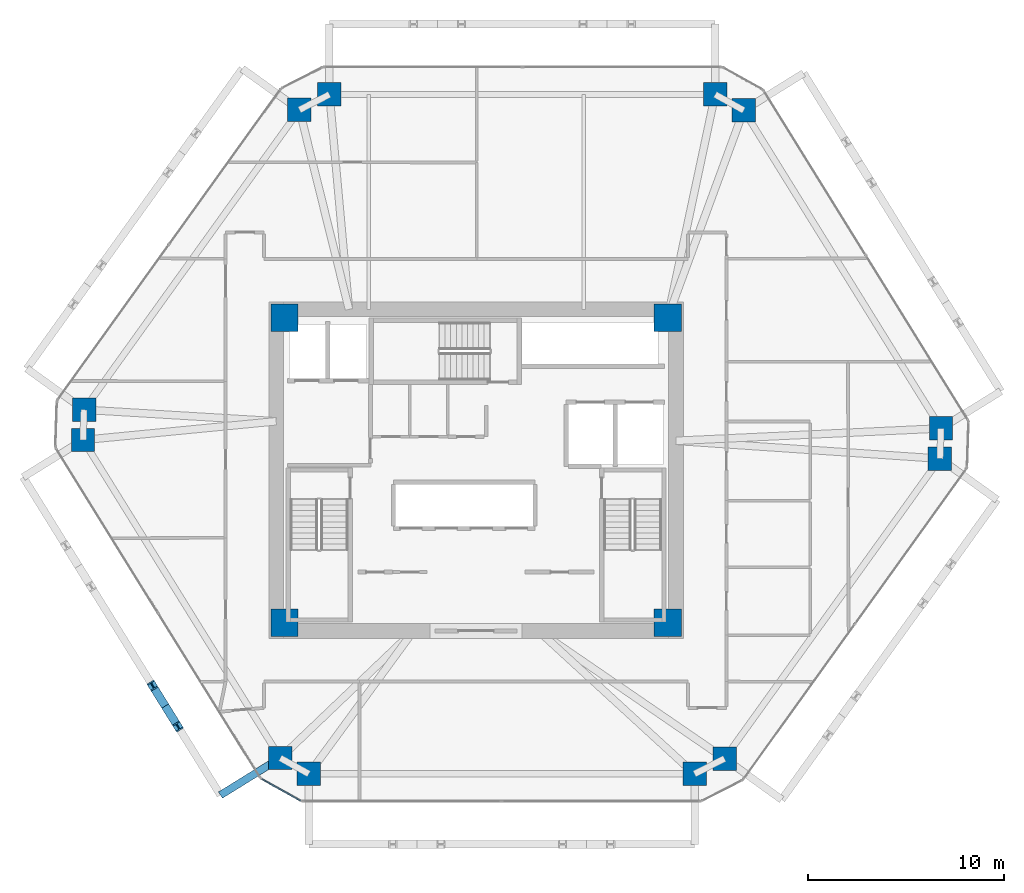
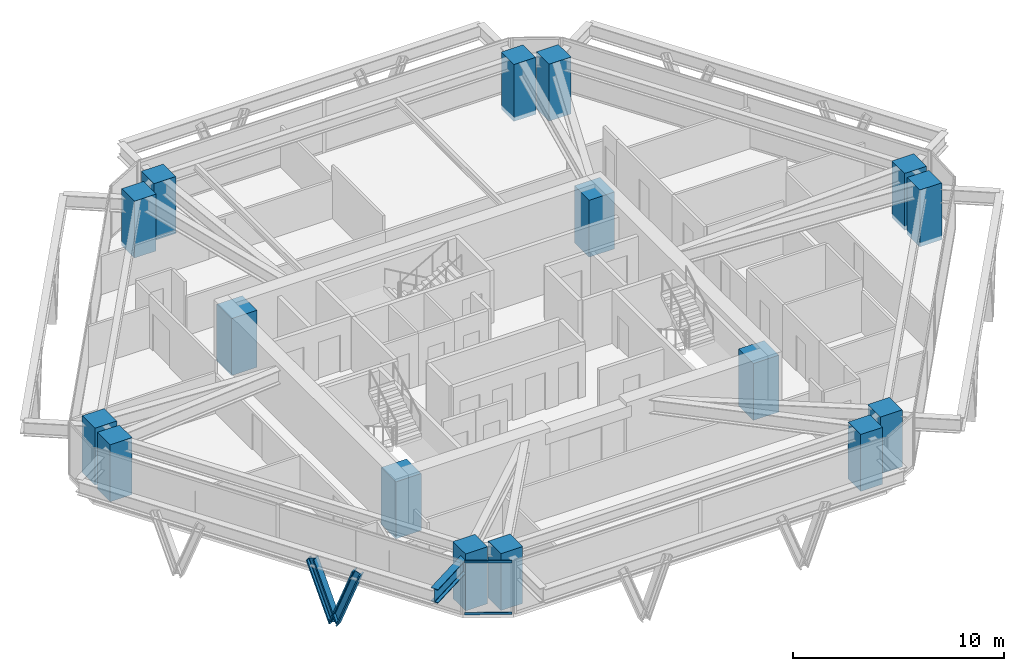
# One storey, part 1 of 13: 16 columns, 4 members, 1 beam, 1 element without a shape of its own.
"""IFC4 building model written with IfcOpenShell, lengths in metres."""

import ifcopenshell
import ifcopenshell.guid

model = None  # the IFC model being written
_history = None  # IfcOwnerHistory: only IFC2X3 demands one
_inside = {}  # id of a spatial element -> (the spatial element, [elements in it])
_under = {}  # id of a project, library or spatial element -> (it, [spatial elements below it])
_declared = {}  # id of a project -> (the project, [libraries it declares])
_typed = {}  # id of a type object -> (the type object, [elements of that type])
_made_of = {}  # id of a material, layer set ... -> (it, [elements and type objects made of it])


def new_model(schema):
    """Start an empty IFC model of exactly this schema.

    Asked for "IFC4X3", IfcOpenShell would pick the latest addendum, in which some entities
    have other attributes; the version numbers below select the first issue.
    IFC2X3 requires an IfcOwnerHistory on every rooted entity: one is made here for all.
    """
    global model, _history
    if schema == "IFC4X3":
        model = ifcopenshell.file(schema_version=(4, 3, 0, 0))
    else:
        model = ifcopenshell.file(schema=schema)
    _inside.clear()
    _under.clear()
    _declared.clear()
    _typed.clear()
    _made_of.clear()
    _history = None
    if model.schema == "IFC2X3":
        org = make("IfcOrganization", Name="unknown")
        user = make(
            "IfcPersonAndOrganization",
            ThePerson=make("IfcPerson", FamilyName="unknown"),
            TheOrganization=org,
        )
        app = make(
            "IfcApplication",
            ApplicationDeveloper=org,
            Version="unknown",
            ApplicationFullName="unknown",
            ApplicationIdentifier="unknown",
        )
        _history = make(
            "IfcOwnerHistory",
            OwningUser=user,
            OwningApplication=app,
            ChangeAction="ADDED",
            CreationDate=0,
        )
    return model


def make(cls, **values):
    """One entity of the class cls with the attributes given. An attribute that is None is left unset."""
    return model.create_entity(
        cls, **{name: value for name, value in values.items() if value is not None}
    )


def rooted(cls, **values):
    """An entity with a GlobalId (a new one), such as an element, a storey or a relation."""
    return make(cls, GlobalId=ifcopenshell.guid.new(), OwnerHistory=_history, **values)


def si_unit(unit_type, name, prefix=None):
    """IfcSIUnit, for example si_unit("LENGTHUNIT", "METRE", prefix="MILLI")."""
    return make("IfcSIUnit", UnitType=unit_type, Prefix=prefix, Name=name)


def assignment(units):
    """IfcUnitAssignment: the units of a project."""
    return None if units is None else make("IfcUnitAssignment", Units=units)


def point(xyz):
    """IfcCartesianPoint."""
    return None if xyz is None else make("IfcCartesianPoint", Coordinates=xyz)


def direction(xyz):
    """IfcDirection."""
    return None if xyz is None else make("IfcDirection", DirectionRatios=xyz)


def frame(location, z_axis=None, x_axis=None):
    """IfcAxis2Placement3D, a coordinate frame: its origin and axes. An axis left out is left unset."""
    return make(
        "IfcAxis2Placement3D",
        Location=point(location),
        Axis=direction(z_axis),
        RefDirection=direction(x_axis),
    )


def frame_2d(location, x_axis=None):
    """IfcAxis2Placement2D, a coordinate frame in the plane: its origin and x axis."""
    return make(
        "IfcAxis2Placement2D", Location=point(location), RefDirection=direction(x_axis)
    )


def origin():
    """The frame at (0, 0, 0) with its axes left unset."""
    return frame((0.0, 0.0, 0.0))


def origin_2d():
    """The frame at (0, 0) in the plane with its x axis left unset."""
    return frame_2d((0.0, 0.0))


def place(relative_to, where):
    """IfcLocalPlacement: puts the frame where relative to a parent placement (None: the world)."""
    return make(
        "IfcLocalPlacement", PlacementRelTo=relative_to, RelativePlacement=where
    )


def context(
    kind, dimensions, precision=None, world=None, true_north=None, identifier=None
):
    """IfcGeometricRepresentationContext, for example the 3D "Model" context."""
    return make(
        "IfcGeometricRepresentationContext",
        ContextIdentifier=identifier,
        ContextType=kind,
        CoordinateSpaceDimension=dimensions,
        Precision=precision,
        WorldCoordinateSystem=world,
        TrueNorth=true_north,
    )


def subcontext(parent, identifier, kind, view, scale=None):
    """IfcGeometricRepresentationSubContext, for example "Body" below "Model"."""
    return make(
        "IfcGeometricRepresentationSubContext",
        ContextIdentifier=identifier,
        ContextType=kind,
        ParentContext=parent,
        TargetScale=scale,
        TargetView=view,
    )


def project(units=None, contexts=None):
    """IfcProject with its units and contexts."""
    return rooted(
        "IfcProject",
        Name="project",
        RepresentationContexts=contexts,
        UnitsInContext=assignment(units),
    )


def spatial(cls, under=None, at=None, **own):
    """A site, building, storey or space (cls), placed at a placement, below another one or the project."""
    s = rooted(cls, ObjectPlacement=at, **own)
    if under is not None:
        _under.setdefault(under.id(), (under, []))[1].append(s)
    return s


def profile(cls, at=None, kind="AREA", **sizes):
    """A parametric profile (cls). Its sizes go by their IFC names, for example OverallWidth=200.0."""
    return make(cls, ProfileType=kind, Position=at, **sizes)


def rectangle(**sizes):
    """IfcRectangleProfileDef."""
    return profile("IfcRectangleProfileDef", **sizes)


def i_section(**sizes):
    """IfcIShapeProfileDef."""
    return profile("IfcIShapeProfileDef", **sizes)


def extrude(swept, where, along, depth):
    """IfcExtrudedAreaSolid: the profile swept, set in the frame where, extruded along a direction by depth."""
    return make(
        "IfcExtrudedAreaSolid",
        SweptArea=swept,
        Position=where,
        ExtrudedDirection=direction(along),
        Depth=depth,
    )


def shape(context_of_items, identifier, shape_type, items):
    """IfcShapeRepresentation: the items that make up one representation, for example the "Body"."""
    return make(
        "IfcShapeRepresentation",
        ContextOfItems=context_of_items,
        RepresentationIdentifier=identifier,
        RepresentationType=shape_type,
        Items=items,
    )


def source(mapping_origin, context_of_items, identifier, shape_type, items):
    """IfcRepresentationMap: a shape defined once, which mapped items show again and again."""
    return make(
        "IfcRepresentationMap",
        MappingOrigin=mapping_origin,
        MappedRepresentation=shape(context_of_items, identifier, shape_type, items),
    )


def transform(
    local_origin,
    x_axis=None,
    y_axis=None,
    z_axis=None,
    scale=None,
    scale2=None,
    scale3=None,
    uniform=True,
):
    """IfcCartesianTransformationOperator3D, or its non-uniform kind. x_axis, y_axis, z_axis: its Axis1, 2, 3."""
    if uniform:
        return make(
            "IfcCartesianTransformationOperator3D",
            Axis1=direction(x_axis),
            Axis2=direction(y_axis),
            LocalOrigin=point(local_origin),
            Scale=scale,
            Axis3=direction(z_axis),
        )
    return make(
        "IfcCartesianTransformationOperator3DnonUniform",
        Axis1=direction(x_axis),
        Axis2=direction(y_axis),
        LocalOrigin=point(local_origin),
        Scale=scale,
        Axis3=direction(z_axis),
        Scale2=scale2,
        Scale3=scale3,
    )


def mapped(mapping_source, mapping_target):
    """IfcMappedItem: shows the shape of a source again, moved by a transform."""
    return make(
        "IfcMappedItem", MappingSource=mapping_source, MappingTarget=mapping_target
    )


def material(Name=None, Category=None):
    """IfcMaterial."""
    return make("IfcMaterial", Name=Name, Category=Category)


def layer(
    of_material, thickness, ventilated=None, Name=None, Category=None, Priority=None
):
    """IfcMaterialLayer: one layer of a wall or slab, of a material (None: an air gap)."""
    return make(
        "IfcMaterialLayer",
        Material=of_material,
        LayerThickness=thickness,
        IsVentilated=ventilated,
        Name=Name,
        Category=Category,
        Priority=Priority,
    )


def layer_set(layers, Name=None):
    """IfcMaterialLayerSet."""
    return make("IfcMaterialLayerSet", MaterialLayers=layers, LayerSetName=Name)


def material_profile(
    of_material, cross_section, Name=None, Category=None, Priority=None
):
    """IfcMaterialProfile: a cross section and its material."""
    return make(
        "IfcMaterialProfile",
        Name=Name,
        Material=of_material,
        Profile=cross_section,
        Priority=Priority,
        Category=Category,
    )


def profile_set(profiles, Name=None, composite=None):
    """IfcMaterialProfileSet."""
    return make(
        "IfcMaterialProfileSet",
        Name=Name,
        MaterialProfiles=profiles,
        CompositeProfile=composite,
    )


def made_of(thing, what):
    """Note that an element or type object is made of a material, layer set ...; save() writes the relation."""
    if what is not None:
        _made_of.setdefault(what.id(), (what, []))[1].append(thing)
    return thing


def type_object(cls, material=None, **own):
    """A type object (cls), such as IfcWallType, which elements share."""
    return made_of(rooted(cls, **own), material)


def type_shapes(of_type, sources):
    """Give a type object the sources (RepresentationMaps) that its elements show as mapped items."""
    of_type.RepresentationMaps = sources


def element(
    cls,
    number,
    at=None,
    inside=None,
    cuts=None,
    type_object=None,
    material=None,
    context=None,
    identifier="Body",
    shape_type=None,
    held_by="IfcProductDefinitionShape",
    body=None,
    shapes=None,
    **own,
):
    """One element of the class cls, such as IfcWall. Its Tag is "e" and its number.

    at: its placement. inside: the storey or other place that contains it. cuts: it is an
    opening in that element (IfcRelVoidsElement). A single representation is given by context,
    identifier, shape_type and body (its items); several are given by shapes. held_by: the class
    of the entity that holds the representations. save() writes the other relations.
    """
    e = rooted(cls, Tag="e%d" % number, ObjectPlacement=at, **own)
    if body is not None:
        shapes = [shape(context, identifier, shape_type, body)]
    if shapes is not None:
        e.Representation = make(held_by, Representations=shapes)
    if inside is not None:
        _inside.setdefault(inside.id(), (inside, []))[1].append(e)
    if cuts is not None:
        rooted(
            "IfcRelVoidsElement", RelatingBuildingElement=cuts, RelatedOpeningElement=e
        )
    if type_object is not None:
        _typed.setdefault(type_object.id(), (type_object, []))[1].append(e)
    return made_of(e, material)


def aggregate(whole, parts):
    """IfcRelAggregates: a whole, such as a stair, and the parts it consists of."""
    return rooted("IfcRelAggregates", RelatingObject=whole, RelatedObjects=parts)


def save(model, path):
    """Write the relations noted so far, then the file.

    IfcRelAggregates (storeys below a building ...), IfcRelContainedInSpatialStructure (elements
    in a storey), IfcRelDefinesByType, IfcRelAssociatesMaterial and IfcRelDeclares: one each for
    every whole, place, type object, material and project.
    """
    for whole, parts in _under.values():
        aggregate(whole, parts)
    for where, things in _inside.values():
        rooted(
            "IfcRelContainedInSpatialStructure",
            RelatedElements=things,
            RelatingStructure=where,
        )
    for kind, things in _typed.values():
        rooted("IfcRelDefinesByType", RelatedObjects=things, RelatingType=kind)
    for what, things in _made_of.values():
        rooted("IfcRelAssociatesMaterial", RelatedObjects=things, RelatingMaterial=what)
    for by, libraries in _declared.values():
        rooted("IfcRelDeclares", RelatingContext=by, RelatedDefinitions=libraries)
    model.write(path)


model = new_model("IFC4")

# Units and contexts
model_context = context("Model", 3, precision=1e-05, world=origin(), true_north=direction((0.0, 1.0)))
body_context = subcontext(model_context, "Body", "Model", "MODEL_VIEW")
ifc_project = project(units=[si_unit("LENGTHUNIT", "METRE"), si_unit("AREAUNIT", "SQUARE_METRE"), si_unit("VOLUMEUNIT", "CUBIC_METRE"), si_unit("PLANEANGLEUNIT", "RADIAN"), si_unit("MASSUNIT", "GRAM", prefix="KILO")], contexts=[model_context])

# Site, building, storey
site_placement = place(None, origin())
site = spatial("IfcSite", under=ifc_project, at=site_placement, CompositionType="ELEMENT")
building_placement = place(site_placement, origin())
building = spatial("IfcBuilding", under=site, at=building_placement, Name="Durnholm Broadcast Tower", CompositionType="ELEMENT")
storey_placement = place(building_placement, frame((0.0, 0.0, 133.800048828125)))
storey = spatial("IfcBuildingStorey", under=building, at=storey_placement, Name="L36", CompositionType="ELEMENT", Elevation=133.800048828125)

# Columns
ifc_material_1 = material(Name="Concrete C70/85", Category="concrete")
ifc_material_profile_1 = material_profile(ifc_material_1, rectangle(XDim=1.39990234375, YDim=1.39990234375, at=origin_2d()), Name="RC1400X1400")
ifc_profile_set_1 = profile_set([ifc_material_profile_1], Name="Concrete C70/85")
column_type_1 = type_object("IfcColumnType", Name="COL-CC-1400", PredefinedType="COLUMN", material=ifc_profile_set_1)
shared_shape_1 = source(origin(), body_context, "Body", "SweptSolid", [
    extrude(rectangle(XDim=1.39990234375, YDim=1.39990234375, at=origin_2d()), origin(), (0.0, 0.0, 1.0), 3.300048828125),
])
type_shapes(column_type_1, [shared_shape_1])
for number, where, z_axis, x_axis, name in (
    (1, (-9.800048828125, -7.800048828125, -0.239990234375), (0.0, 0.0, 1.0), (1.0, 0.0, 0.0), "L36 core corner column 1"),
    (2, (9.800048828125, -7.800048828125, -0.239990234375), (0.0, 0.0, 1.0), (1.0, 0.0, 0.0), "L36 core corner column 2"),
    (3, (9.800048828125, 7.800048828125, -0.239990234375), (0.0, 0.0, 1.0), (1.0, 0.0, 0.0), "L36 core corner column 3"),
    (4, (-9.800048828125, 7.800048828125, -0.239990234375), (0.0, 0.0, 1.0), (1.0, 0.0, 0.0), "L36 core corner column 4"),
):
    element("IfcColumn", number, at=place(storey_placement, frame(where, z_axis=z_axis, x_axis=x_axis)), inside=storey, type_object=column_type_1, Name=name, PredefinedType="COLUMN", context=body_context, shape_type="MappedRepresentation", body=[
        mapped(shared_shape_1, transform((0.0, 0.0, 0.0), x_axis=(1.0, 0.0, 0.0), y_axis=(0.0, 1.0, 0.0), z_axis=(0.0, 0.0, 1.0), scale=1.0)),
    ])
ifc_material_profile_2 = material_profile(ifc_material_1, rectangle(XDim=1.199951171875, YDim=1.199951171875, at=origin_2d()), Name="RC1200X1200")
ifc_profile_set_2 = profile_set([ifc_material_profile_2], Name="Concrete C70/85")
column_type_2 = type_object("IfcColumnType", Name="COL-CC-1200", PredefinedType="COLUMN", material=ifc_profile_set_2)
shared_shape_2 = source(origin(), body_context, "Body", "SweptSolid", [
    extrude(rectangle(XDim=1.199951171875, YDim=1.199951171875, at=origin_2d()), origin(), (0.0, 0.0, 1.0), 3.300048828125),
])
type_shapes(column_type_2, [shared_shape_2])
for number, where, z_axis, x_axis, name in (
    (5, (-10.01416015625, -14.723388671875, -0.239990234375), (0.0, 0.0, 1.0), (1.0, 0.0, 0.0), "L36 perimeter hexagonal tube column 01"),
    (6, (-20.102783203125, 1.54150390625, -0.239990234375), (0.0, 0.0, 1.0), (1.0, 0.0, 0.0), "L36 perimeter hexagonal tube column 02"),
    (7, (-20.050048828125, 3.091064453125, -0.239990234375), (0.0, 0.0, 1.0), (1.0, 0.0, 0.0), "L36 perimeter hexagonal tube column 03"),
    (8, (-9.031982421875, 18.42822265625, -0.239990234375), (0.0, 0.0, 1.0), (1.0, 0.0, 0.0), "L36 perimeter hexagonal tube column 04"),
    (9, (-7.498046875, 19.215087890625, -0.239990234375), (0.0, 0.0, 1.0), (1.0, 0.0, 0.0), "L36 perimeter hexagonal tube column 05"),
    (10, (12.22998046875, 19.215087890625, -0.239990234375), (0.0, 0.0, 1.0), (1.0, 0.0, 0.0), "L36 perimeter hexagonal tube column 06"),
    (11, (13.692138671875, 18.4013671875, -0.239990234375), (0.0, 0.0, 1.0), (1.0, 0.0, 0.0), "L36 perimeter hexagonal tube column 07"),
    (12, (23.78076171875, 2.13671875, -0.239990234375), (0.0, 0.0, 1.0), (1.0, 0.0, 0.0), "L36 perimeter hexagonal tube column 08"),
    (13, (23.72802734375, 0.5869140625, -0.239990234375), (0.0, 0.0, 1.0), (1.0, 0.0, 0.0), "L36 perimeter hexagonal tube column 09"),
    (14, (12.7099609375, -14.750244140625, -0.239990234375), (0.0, 0.0, 1.0), (1.0, 0.0, 0.0), "L36 perimeter hexagonal tube column 10"),
    (15, (11.176025390625, -15.537109375, -0.239990234375), (0.0, 0.0, 1.0), (1.0, 0.0, 0.0), "L36 perimeter hexagonal tube column 11"),
    (16, (-8.552001953125, -15.537109375, -0.239990234375), (0.0, 0.0, 1.0), (1.0, 0.0, 0.0), "L36 perimeter hexagonal tube column 12"),
):
    element("IfcColumn", number, at=place(storey_placement, frame(where, z_axis=z_axis, x_axis=x_axis)), inside=storey, type_object=column_type_2, Name=name, PredefinedType="COLUMN", context=body_context, shape_type="MappedRepresentation", body=[
        mapped(shared_shape_2, transform((0.0, 0.0, 0.0), x_axis=(1.0, 0.0, 0.0), y_axis=(0.0, 1.0, 0.0), z_axis=(0.0, 0.0, 1.0), scale=1.0)),
    ])

# Beam
ifc_material_2 = material(Name="Steel ASTM A992 Grade 50", Category="steel")
ifc_material_profile_3 = material_profile(ifc_material_2, i_section(OverallWidth=0.385009765625, OverallDepth=0.802978515625, WebThickness=0.023681640625, FlangeThickness=0.0419921875, FilletRadius=0.032958984375, at=origin_2d()), Name="W30X261")
ifc_profile_set_3 = profile_set([ifc_material_profile_3], Name="Steel ASTM A992 Grade 50")
beam_type = type_object("IfcBeamType", Name="BM-EXO-TIE", PredefinedType="USERDEFINED", material=ifc_profile_set_3)
shared_shape_3 = source(origin(), body_context, "Body", "SweptSolid", [
    extrude(i_section(OverallWidth=0.385009765625, OverallDepth=0.802978515625, WebThickness=0.023681640625, FlangeThickness=0.0419921875, FilletRadius=0.032958984375, at=origin_2d()), origin(), (0.0, 0.0, 1.0), 3.455810546875),
])
type_shapes(beam_type, [shared_shape_3])
beam_placement = place(storey_placement, frame((-10.13671875, -14.79931640625, 2.30859375), z_axis=(-0.849807128357, -0.527093772107, 0.0), x_axis=(0.527093772107, -0.849807128357, 0.0)))
element("IfcBeam", 17, at=beam_placement, inside=storey, type_object=beam_type, Name="L36 exoskeleton stand-off tie bracket F6.2", ObjectType="GIRDER", PredefinedType="USERDEFINED", context=body_context, shape_type="MappedRepresentation", body=[
    mapped(shared_shape_3, transform((0.0, 0.0, 0.0), x_axis=(1.0, 0.0, 0.0), y_axis=(0.0, 1.0, 0.0), z_axis=(0.0, 0.0, 1.0), scale=1.0)),
])

# Members
ifc_material_3 = material(Name="Steel ASTM A913 Grade 65", Category="steel")
ifc_material_profile_4 = material_profile(ifc_material_3, i_section(OverallWidth=0.41845703125, OverallDepth=0.455078125, WebThickness=0.0419921875, FlangeThickness=0.067626953125, FilletRadius=0.030517578125, at=origin_2d()), Name="W14X370")
ifc_profile_set_4 = profile_set([ifc_material_profile_4], Name="Steel ASTM A913 Grade 65")
member_type_1 = type_object("IfcMemberType", Name="STL-DG-W14X370", PredefinedType="BRACE", material=ifc_profile_set_4)
shared_shape_4 = source(origin(), body_context, "Body", "SweptSolid", [
    extrude(i_section(OverallWidth=0.41845703125, OverallDepth=0.455078125, WebThickness=0.0419921875, FlangeThickness=0.067626953125, FilletRadius=0.030517578125, at=origin_2d()), origin(), (0.0, 0.0, 1.0), 3.523193359375),
])
type_shapes(member_type_1, [shared_shape_4])
for number, where, z_axis, x_axis, name in (
    (18, (-15.898193359375, -12.066650390625, -0.991455078125), (-0.184606642766, 0.297560406921, 0.936684681032), (-0.849750220063, -0.527185511469, 0.0), "L36 stand-off diagrid brace F6.D2.1"),
    (19, (-15.898193359375, -12.066650390625, -0.991455078125), (0.184602835855, -0.297623566065, 0.936665364961), (0.849805205368, 0.527096872433, 0.0), "L36 stand-off diagrid brace F6.D2.2"),
):
    element("IfcMember", number, at=place(storey_placement, frame(where, z_axis=z_axis, x_axis=x_axis)), inside=storey, type_object=member_type_1, Name=name, PredefinedType="BRACE", context=body_context, shape_type="MappedRepresentation", body=[
        mapped(shared_shape_4, transform((0.0, 0.0, 0.0), x_axis=(1.0, 0.0, 0.0), y_axis=(0.0, 1.0, 0.0), z_axis=(0.0, 0.0, 1.0), scale=1.0)),
    ])

# Curtain wall, members
ifc_material_4 = material(Name="Aluminium and Solar Control IGU", Category="aluminium")
ifc_layer = layer(ifc_material_4, 0.1650390625)
ifc_layer_set = layer_set([ifc_layer], Name="Aluminium and Solar Control IGU")
curtain_wall_type = type_object("IfcCurtainWallType", Name="CW-SYS-5", PredefinedType="NOTDEFINED", material=ifc_layer_set)
curtain_wall_placement = place(storey_placement, origin())
curtain_wall = element("IfcCurtainWall", 20, at=curtain_wall_placement, inside=storey, type_object=curtain_wall_type, Name="L36 curtain wall CW-CORNER CW-L36-CRN-11", PredefinedType="NOTDEFINED")
ifc_material_5 = material(Name="Aluminium 6063-T6", Category="aluminium")
ifc_material_profile_5 = material_profile(ifc_material_5, rectangle(XDim=0.06494140625, YDim=0.1298828125, at=origin_2d()), Name="CWT65X130")
ifc_profile_set_5 = profile_set([ifc_material_profile_5], Name="Aluminium 6063-T6")
member_type_2 = type_object("IfcMemberType", Name="CW-SYS-5-TRN", PredefinedType="USERDEFINED", material=ifc_profile_set_5)
shared_shape_5 = source(origin(), body_context, "Body", "SweptSolid", [
    extrude(rectangle(XDim=0.06494140625, YDim=0.1298828125, at=origin_2d()), origin(), (0.0, 0.0, 1.0), 2.27001953125),
])
type_shapes(member_type_2, [shared_shape_5])
member_1_placement = place(storey_placement, frame((-8.971923828125, -16.9052734375, 0.032470703125), z_axis=(-0.873832405737, 0.486227237703, 0.0), x_axis=(-0.486227237703, -0.873832405737, 0.0)))
member_1 = element("IfcMember", 21, at=member_1_placement, type_object=member_type_2, Name="CW-CORNER transom 1.1", ObjectType="TRANSOM", PredefinedType="USERDEFINED", context=body_context, shape_type="MappedRepresentation", body=[
    mapped(shared_shape_5, transform((0.0, 0.0, 0.0), x_axis=(1.0, 0.0, 0.0), y_axis=(0.0, 1.0, 0.0), z_axis=(0.0, 0.0, 1.0), scale=1.0)),
])
member_2_placement = place(storey_placement, frame((-8.971923828125, -16.9052734375, 3.02734375), z_axis=(-0.873832405737, 0.486227237703, 0.0), x_axis=(-0.486227237703, -0.873832405737, 0.0)))
member_2 = element("IfcMember", 22, at=member_2_placement, type_object=member_type_2, Name="CW-CORNER transom 1.2", ObjectType="TRANSOM", PredefinedType="USERDEFINED", context=body_context, shape_type="MappedRepresentation", body=[
    mapped(shared_shape_5, transform((0.0, 0.0, 0.0), x_axis=(1.0, 0.0, 0.0), y_axis=(0.0, 1.0, 0.0), z_axis=(0.0, 0.0, 1.0), scale=1.0)),
])
aggregate(curtain_wall, [member_1, member_2])

save(model, "model.ifc")
